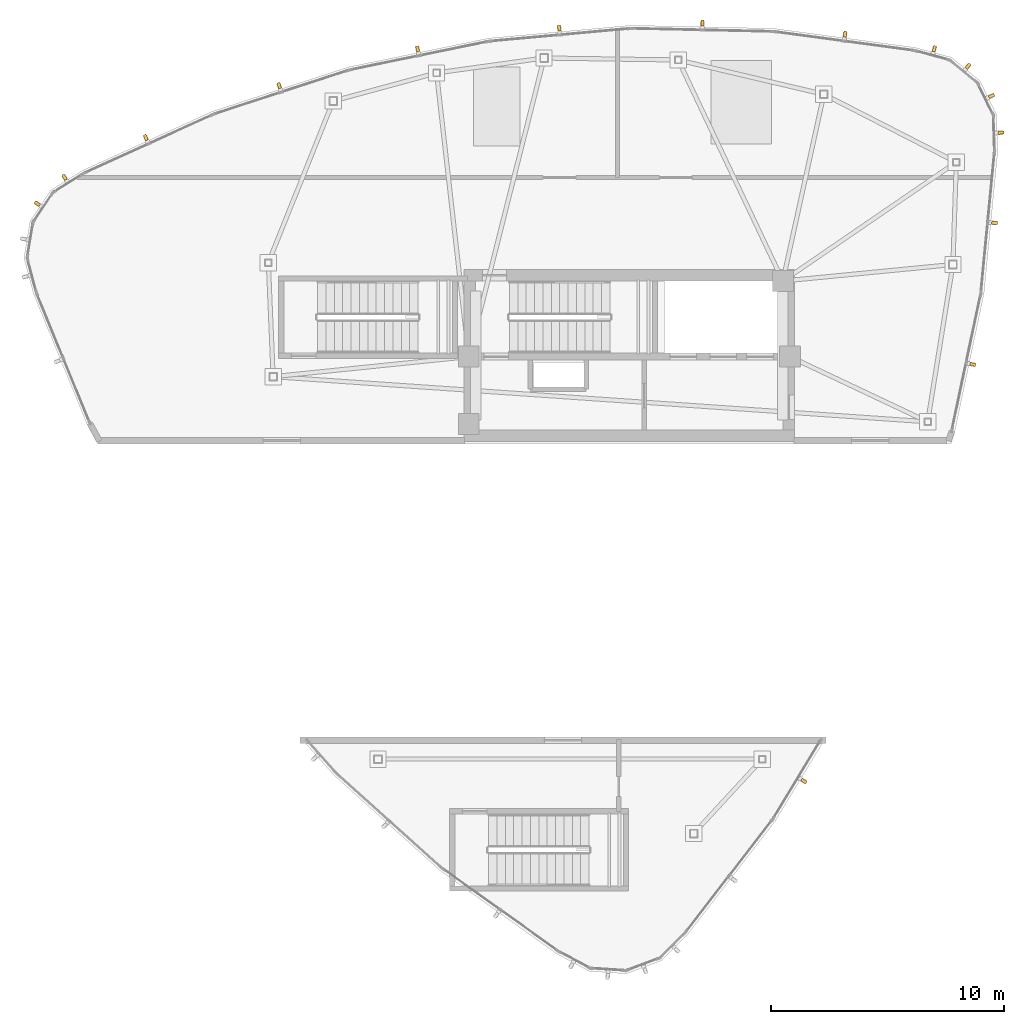
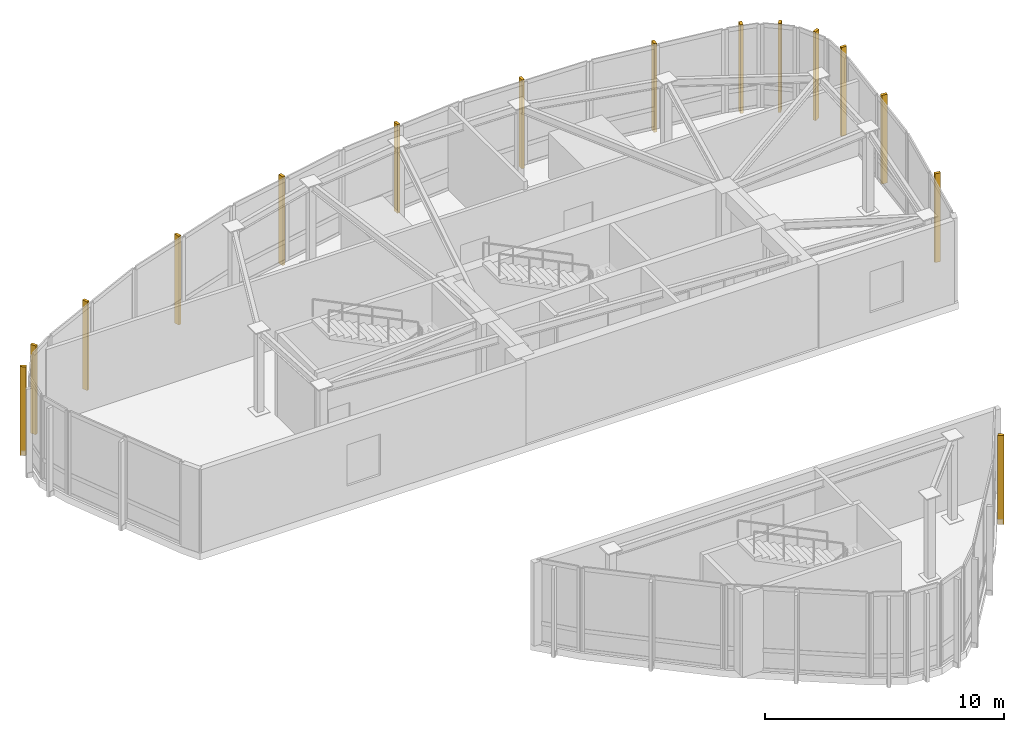
# One storey, part 15 of 16: 15 shading devices.
"""IFC4 building model written with IfcOpenShell, lengths in metres."""

from ifc_helpers import new_model, si_unit, direction, frame, origin, origin_2d, place, context, subcontext, project, spatial, rectangle, extrude, source, transform, mapped, material, type_object, type_shapes, element, save


model = new_model("IFC4")

# Units and contexts
model_context = context("Model", 3, precision=1e-05, world=origin(), true_north=direction((0.0, 1.0)))
body_context = subcontext(model_context, "Body", "Model", "MODEL_VIEW")
ifc_project = project(units=[si_unit("LENGTHUNIT", "METRE"), si_unit("AREAUNIT", "SQUARE_METRE"), si_unit("VOLUMEUNIT", "CUBIC_METRE"), si_unit("PLANEANGLEUNIT", "RADIAN"), si_unit("MASSUNIT", "GRAM", prefix="KILO")], contexts=[model_context])

# Site, building, storey
site_placement = place(None, origin())
site = spatial("IfcSite", under=ifc_project, at=site_placement, CompositionType="ELEMENT")
building_placement = place(site_placement, origin())
building = spatial("IfcBuilding", under=site, at=building_placement, Name="Tavelor Broadcast Tower", CompositionType="ELEMENT")
storey_placement = place(building_placement, frame((0.0, 0.0, 336.699951171875)))
storey = spatial("IfcBuildingStorey", under=building, at=storey_placement, Name="L80", CompositionType="ELEMENT", Elevation=336.699951171875)

# Shading devices
ifc_material = material(Name="Kiln-Fired Glazed Terracotta", Category="masonry")
shading_device_type = type_object("IfcShadingDeviceType", Name="Extruded Terracotta Corner Baguette 130x260", PredefinedType="JALOUSIE", material=ifc_material)
shared_shape = source(origin(), body_context, "Body", "SweptSolid", [
    extrude(rectangle(XDim=0.1298828125, YDim=0.260009765625, at=origin_2d()), origin(), (0.0, 0.0, 1.0), 4.5400390625),
])
type_shapes(shading_device_type, [shared_shape])
for number, where, z_axis, x_axis, name in (
    (1, (64.77099609375, 47.61328125, -0.31005859375), (0.0, 0.0, 1.0), (0.207058016949, 0.978328665438, 0.0), "L80 Terracotta Baguette Fin 771"),
    (2, (65.705810546875, 53.6962890625, -0.31005859375), (0.0, 0.0, 1.0), (0.096193205494, 0.995362681246, 0.0), "L80 Terracotta Baguette Fin 772"),
    (3, (65.974609375, 57.57568359375, -0.31005859375), (0.0, 0.0, 1.0), (-0.034027350502, 0.999420902032, 0.0), "L80 Terracotta Baguette Fin 773"),
    (4, (65.5771484375, 59.158447265625, -0.31005859375), (0.0, 0.0, 1.0), (-0.442288690219, 0.896872741533, 0.0), "L80 Terracotta Baguette Fin 774"),
    (5, (64.5634765625, 60.437255859375, -0.31005859375), (0.0, 0.0, 1.0), (-0.772179372467, 0.635404608684, 0.0), "L80 Terracotta Baguette Fin 775"),
    (6, (63.11328125, 61.185791015625, -0.31005859375), (0.0, 0.0, 1.0), (-0.965244930214, 0.261346943155, 0.0), "L80 Terracotta Baguette Fin 776"),
    (7, (59.27490234375, 61.809814453125, -0.31005859375), (0.0, 0.0, 1.0), (-0.991029909341, 0.133640258869, 0.0), "L80 Terracotta Baguette Fin 777"),
    (8, (53.139404296875, 62.288818359375, -0.31005859375), (0.0, 0.0, 1.0), (-0.99976202708, 0.021814885035, 0.0), "L80 Terracotta Baguette Fin 778"),
    (9, (46.98876953125, 62.077392578125, -0.31005859375), (0.0, 0.0, 1.0), (-0.995915974681, -0.090284945449, 0.0), "L80 Terracotta Baguette Fin 779"),
    (10, (40.900390625, 61.178466796875, -0.31005859375), (0.0, 0.0, 1.0), (-0.979505000486, -0.201419845156, 0.0), "L80 Terracotta Baguette Fin 780"),
    (11, (34.951171875, 59.60302734375, -0.31005859375), (0.0, 0.0, 1.0), (-0.950786485994, -0.309846829984, 0.0), "L80 Terracotta Baguette Fin 781"),
    (12, (29.216064453125, 57.37109375, -0.31005859375), (0.0, 0.0, 1.0), (-0.910105970685, -0.414375580993, 0.0), "L80 Terracotta Baguette Fin 782"),
    (13, (25.7216796875, 55.664306640625, -0.31005859375), (0.0, 0.0, 1.0), (-0.848510214982, -0.529179000974, 0.0), "L80 Terracotta Baguette Fin 783"),
    (14, (24.5498046875, 54.52880859375, -0.31005859375), (0.0, 0.0, 1.0), (-0.55557023302, -0.831469612303, 0.0), "L80 Terracotta Baguette Fin 784"),
    (15, (57.508544921875, 29.70458984375, -0.31005859375), (0.0, 0.0, 1.0), (0.518773258161, 0.854911870673, 0.0), "L80 Terracotta Baguette Fin 796"),
):
    element("IfcShadingDevice", number, at=place(storey_placement, frame(where, z_axis=z_axis, x_axis=x_axis)), inside=storey, type_object=shading_device_type, Name=name, PredefinedType="JALOUSIE", context=body_context, shape_type="MappedRepresentation", body=[
        mapped(shared_shape, transform((0.0, 0.0, 0.0), scale=1.0)),
    ])

save(model, "model.ifc")
